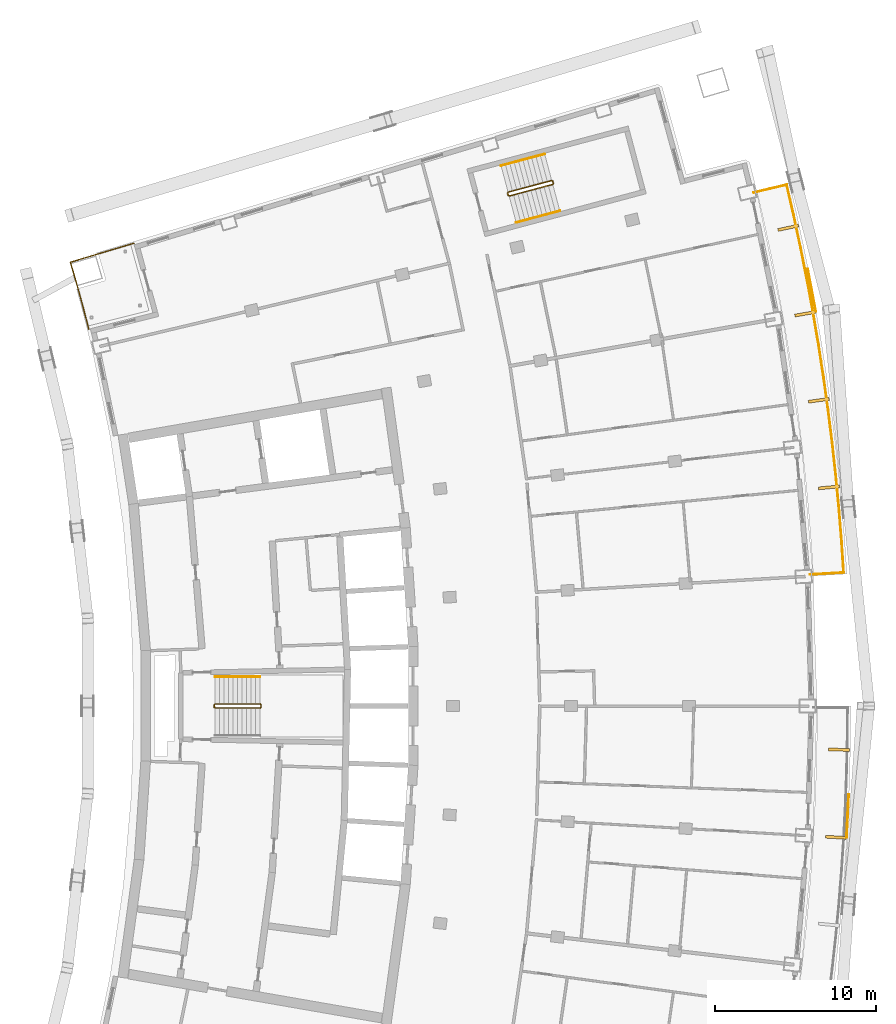
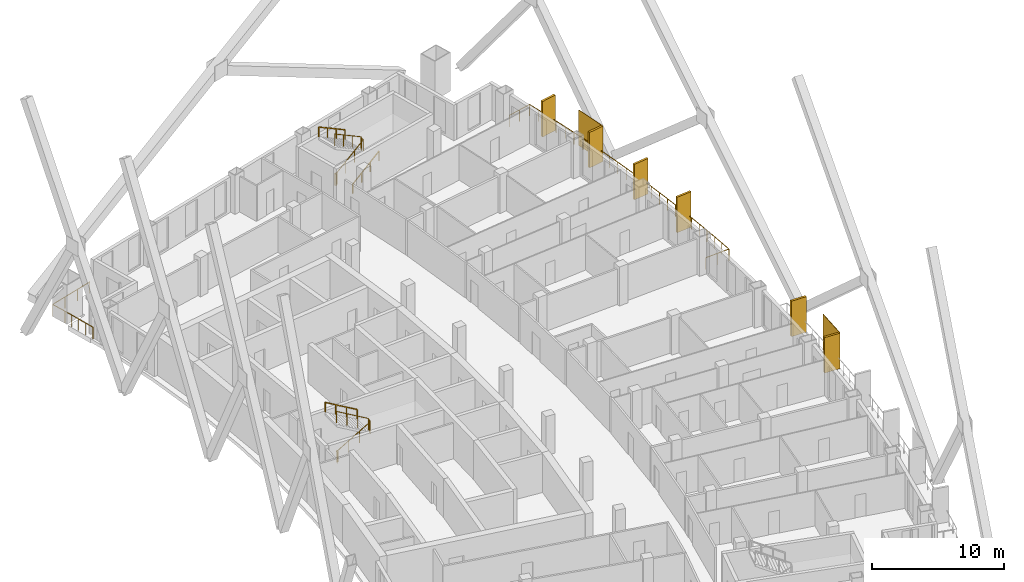
# One storey, part 20 of 20: 8 shading devices, 7 railings.
"""IFC4 building model written with IfcOpenShell, lengths in metres."""

from ifc_helpers import new_model, si_unit, direction, frame, origin, origin_2d, place, context, subcontext, project, spatial, rectangle, extrude, material, layer, layer_set, type_object, element, save


model = new_model("IFC4")

# Units and contexts
model_context = context("Model", 3, precision=1e-05, world=origin(), true_north=direction((0.0, 1.0)))
body_context = subcontext(model_context, "Body", "Model", "MODEL_VIEW")
ifc_project = project(units=[si_unit("LENGTHUNIT", "METRE"), si_unit("AREAUNIT", "SQUARE_METRE"), si_unit("VOLUMEUNIT", "CUBIC_METRE"), si_unit("PLANEANGLEUNIT", "RADIAN"), si_unit("MASSUNIT", "GRAM", prefix="KILO")], contexts=[model_context])

# Site, building, storey
site_placement = place(None, origin())
site = spatial("IfcSite", under=ifc_project, at=site_placement, CompositionType="ELEMENT")
building_placement = place(site_placement, origin())
building = spatial("IfcBuilding", under=site, at=building_placement, Name="Alderwake Tower", CompositionType="ELEMENT")
storey_placement = place(building_placement, frame((0.0, 0.0, 210.800048828125)))
storey = spatial("IfcBuildingStorey", under=building, at=storey_placement, Name="L52", CompositionType="ELEMENT", Elevation=210.800048828125)

# Railings
ifc_material_1 = material(Name="Stainless steel 316 rail and posts", Category="steel")
railing_type_1 = type_object("IfcRailingType", Name="Balcony guard 1100", PredefinedType="GUARDRAIL", material=ifc_material_1)
railing_1_placement = place(storey_placement, frame((57.959228515625, 69.155517578125, 0.0)))
element("IfcRailing", 1, at=railing_1_placement, inside=storey, type_object=railing_type_1, Name="Guard BF08", PredefinedType="GUARDRAIL", context=body_context, shape_type="SweptSolid", body=[
    extrude(rectangle(XDim=0.048095703125, YDim=0.048095703125, at=origin_2d()), frame((0.0, 0.0, 1.076171875), z_axis=(0.998261117553, 0.058946935313, 0.0), x_axis=(-0.058946935313, 0.998261117553, 0.0)), (0.0, 0.0, 1.0), 2.099853515625),
    extrude(rectangle(XDim=0.048095703125, YDim=0.048095703125, at=origin_2d()), frame((2.09619140625, 0.123779296875, 1.076171875), z_axis=(-0.065861216536, 0.997828793008, 0.0), x_axis=(-0.997828793008, -0.065861216536, 0.0)), (0.0, 0.0, 1.0), 1.946044921875),
    extrude(rectangle(XDim=0.048095703125, YDim=0.048095703125, at=origin_2d()), frame((1.968017578125, 2.065673828125, 1.076171875), z_axis=(-0.080191048977, 0.996779512061, 0.0), x_axis=(-0.996779512061, -0.080191048977, 0.0)), (0.0, 0.0, 1.0), 2.0458984375),
    extrude(rectangle(XDim=0.048095703125, YDim=0.048095703125, at=origin_2d()), frame((1.803955078125, 4.10498046875, 1.076171875), z_axis=(-0.094623268612, 0.995513152619, 0.0), x_axis=(-0.995513152619, -0.094623268612, 0.0)), (0.0, 0.0, 1.0), 2.046142578125),
    extrude(rectangle(XDim=0.048095703125, YDim=0.048095703125, at=origin_2d()), frame((1.6103515625, 6.141845703125, 1.076171875), z_axis=(-0.109174253205, 0.994022626723, 0.0), x_axis=(-0.994022626723, -0.109174253205, 0.0)), (0.0, 0.0, 1.0), 2.046142578125),
    extrude(rectangle(XDim=0.048095703125, YDim=0.048095703125, at=origin_2d()), frame((1.386962890625, 8.17578125, 1.076171875), z_axis=(-0.123623502309, 0.992329194208, 0.0), x_axis=(-0.992329194208, -0.123623502309, 0.0)), (0.0, 0.0, 1.0), 2.0458984375),
    extrude(rectangle(XDim=0.048095703125, YDim=0.048095703125, at=origin_2d()), frame((1.134033203125, 10.2060546875, 1.076171875), z_axis=(-0.138062649027, 0.990423497774, 0.0), x_axis=(-0.990423497774, -0.138062649027, 0.0)), (0.0, 0.0, 1.0), 2.0458984375),
    extrude(rectangle(XDim=0.048095703125, YDim=0.048095703125, at=origin_2d()), frame((0.8515625, 12.232421875, 1.076171875), z_axis=(-0.152487539839, 0.988305393183, 0.0), x_axis=(-0.988305393183, -0.152487539839, 0.0)), (0.0, 0.0, 1.0), 2.046142578125),
    extrude(rectangle(XDim=0.048095703125, YDim=0.048095703125, at=origin_2d()), frame((0.53955078125, 14.254638671875, 1.076171875), z_axis=(-0.167049252433, 0.985948552036, 0.0), x_axis=(-0.985948552036, -0.167049252433, 0.0)), (0.0, 0.0, 1.0), 2.046142578125),
    extrude(rectangle(XDim=0.048095703125, YDim=0.048095703125, at=origin_2d()), frame((0.19775390625, 16.27197265625, 1.076171875), z_axis=(-0.181268734219, 0.983433600196, 0.0), x_axis=(-0.983433600196, -0.181268734219, 0.0)), (0.0, 0.0, 1.0), 2.0458984375),
    extrude(rectangle(XDim=0.048095703125, YDim=0.048095703125, at=origin_2d()), frame((-0.173095703125, 18.283935546875, 1.076171875), z_axis=(-0.195565396752, 0.98069066254, 0.0), x_axis=(-0.98069066254, -0.195565396752, 0.0)), (0.0, 0.0, 1.0), 2.046142578125),
    extrude(rectangle(XDim=0.048095703125, YDim=0.048095703125, at=origin_2d()), frame((-0.5732421875, 20.29052734375, 1.076171875), z_axis=(-0.209912112269, 0.977720259135, 0.0), x_axis=(-0.977720259135, -0.209912112269, 0.0)), (0.0, 0.0, 1.0), 2.0458984375),
    extrude(rectangle(XDim=0.048095703125, YDim=0.048095703125, at=origin_2d()), frame((-1.002685546875, 22.290771484375, 1.076171875), z_axis=(-0.22380572243, 0.97463377666, 0.0), x_axis=(-0.97463377666, -0.22380572243, 0.0)), (0.0, 0.0, 1.0), 1.946044921875),
    extrude(rectangle(XDim=0.048095703125, YDim=0.048095703125, at=origin_2d()), frame((-1.438232421875, 24.1875, 1.076171875), z_axis=(-0.973057638874, -0.230561990427, 0.0), x_axis=(0.230561990427, -0.973057638874, 0.0)), (0.0, 0.0, 1.0), 2.099853515625),
    extrude(rectangle(XDim=0.0419921875, YDim=0.0419921875, at=origin_2d()), frame((0.0, 0.0, 0.0), z_axis=(0.0, 0.0, 1.0), x_axis=(0.998261117553, 0.058946935313, 0.0)), (0.0, 0.0, 1.0), 1.052001953125),
    extrude(rectangle(XDim=0.0419921875, YDim=0.0419921875, at=origin_2d()), frame((1.048095703125, 0.06201171875, 0.0), z_axis=(0.0, 0.0, 1.0), x_axis=(0.998261117553, 0.058946935313, 0.0)), (0.0, 0.0, 1.0), 1.052001953125),
    extrude(rectangle(XDim=0.0419921875, YDim=0.0419921875, at=origin_2d()), frame((2.09619140625, 0.123779296875, 0.0), z_axis=(0.0, 0.0, 1.0), x_axis=(-0.065861216536, 0.997828793008, 0.0)), (0.0, 0.0, 1.0), 1.052001953125),
    extrude(rectangle(XDim=0.0419921875, YDim=0.0419921875, at=origin_2d()), frame((2.0322265625, 1.0947265625, 0.0), z_axis=(0.0, 0.0, 1.0), x_axis=(-0.065861216536, 0.997828793008, 0.0)), (0.0, 0.0, 1.0), 1.052001953125),
    extrude(rectangle(XDim=0.0419921875, YDim=0.0419921875, at=origin_2d()), frame((1.968017578125, 2.065673828125, 0.0), z_axis=(0.0, 0.0, 1.0), x_axis=(-0.080191048977, 0.996779512061, 0.0)), (0.0, 0.0, 1.0), 1.052001953125),
    extrude(rectangle(XDim=0.0419921875, YDim=0.0419921875, at=origin_2d()), frame((1.885986328125, 3.08544921875, 0.0), z_axis=(0.0, 0.0, 1.0), x_axis=(-0.080191048977, 0.996779512061, 0.0)), (0.0, 0.0, 1.0), 1.052001953125),
    extrude(rectangle(XDim=0.0419921875, YDim=0.0419921875, at=origin_2d()), frame((1.803955078125, 4.10498046875, 0.0), z_axis=(0.0, 0.0, 1.0), x_axis=(-0.094623268612, 0.995513152619, 0.0)), (0.0, 0.0, 1.0), 1.052001953125),
    extrude(rectangle(XDim=0.0419921875, YDim=0.0419921875, at=origin_2d()), frame((1.70703125, 5.12353515625, 0.0), z_axis=(0.0, 0.0, 1.0), x_axis=(-0.094623268612, 0.995513152619, 0.0)), (0.0, 0.0, 1.0), 1.052001953125),
    extrude(rectangle(XDim=0.0419921875, YDim=0.0419921875, at=origin_2d()), frame((1.6103515625, 6.141845703125, 0.0), z_axis=(0.0, 0.0, 1.0), x_axis=(-0.109174253205, 0.994022626723, 0.0)), (0.0, 0.0, 1.0), 1.052001953125),
    extrude(rectangle(XDim=0.0419921875, YDim=0.0419921875, at=origin_2d()), frame((1.49853515625, 7.15869140625, 0.0), z_axis=(0.0, 0.0, 1.0), x_axis=(-0.109174253205, 0.994022626723, 0.0)), (0.0, 0.0, 1.0), 1.052001953125),
    extrude(rectangle(XDim=0.0419921875, YDim=0.0419921875, at=origin_2d()), frame((1.386962890625, 8.17578125, 0.0), z_axis=(0.0, 0.0, 1.0), x_axis=(-0.123623502309, 0.992329194208, 0.0)), (0.0, 0.0, 1.0), 1.052001953125),
    extrude(rectangle(XDim=0.0419921875, YDim=0.0419921875, at=origin_2d()), frame((1.260498046875, 9.19091796875, 0.0), z_axis=(0.0, 0.0, 1.0), x_axis=(-0.123623502309, 0.992329194208, 0.0)), (0.0, 0.0, 1.0), 1.052001953125),
    extrude(rectangle(XDim=0.0419921875, YDim=0.0419921875, at=origin_2d()), frame((1.134033203125, 10.2060546875, 0.0), z_axis=(0.0, 0.0, 1.0), x_axis=(-0.138062649027, 0.990423497774, 0.0)), (0.0, 0.0, 1.0), 1.052001953125),
    extrude(rectangle(XDim=0.0419921875, YDim=0.0419921875, at=origin_2d()), frame((0.99267578125, 11.21923828125, 0.0), z_axis=(0.0, 0.0, 1.0), x_axis=(-0.138062649027, 0.990423497774, 0.0)), (0.0, 0.0, 1.0), 1.052001953125),
    extrude(rectangle(XDim=0.0419921875, YDim=0.0419921875, at=origin_2d()), frame((0.8515625, 12.232421875, 0.0), z_axis=(0.0, 0.0, 1.0), x_axis=(-0.152487539839, 0.988305393183, 0.0)), (0.0, 0.0, 1.0), 1.052001953125),
    extrude(rectangle(XDim=0.0419921875, YDim=0.0419921875, at=origin_2d()), frame((0.695556640625, 13.24365234375, 0.0), z_axis=(0.0, 0.0, 1.0), x_axis=(-0.152487539839, 0.988305393183, 0.0)), (0.0, 0.0, 1.0), 1.052001953125),
    extrude(rectangle(XDim=0.0419921875, YDim=0.0419921875, at=origin_2d()), frame((0.53955078125, 14.254638671875, 0.0), z_axis=(0.0, 0.0, 1.0), x_axis=(-0.167049252433, 0.985948552036, 0.0)), (0.0, 0.0, 1.0), 1.052001953125),
    extrude(rectangle(XDim=0.0419921875, YDim=0.0419921875, at=origin_2d()), frame((0.36865234375, 15.26318359375, 0.0), z_axis=(0.0, 0.0, 1.0), x_axis=(-0.167049252433, 0.985948552036, 0.0)), (0.0, 0.0, 1.0), 1.052001953125),
    extrude(rectangle(XDim=0.0419921875, YDim=0.0419921875, at=origin_2d()), frame((0.19775390625, 16.27197265625, 0.0), z_axis=(0.0, 0.0, 1.0), x_axis=(-0.181268734219, 0.983433600196, 0.0)), (0.0, 0.0, 1.0), 1.052001953125),
    extrude(rectangle(XDim=0.0419921875, YDim=0.0419921875, at=origin_2d()), frame((0.01220703125, 17.27783203125, 0.0), z_axis=(0.0, 0.0, 1.0), x_axis=(-0.181268734219, 0.983433600196, 0.0)), (0.0, 0.0, 1.0), 1.052001953125),
    extrude(rectangle(XDim=0.0419921875, YDim=0.0419921875, at=origin_2d()), frame((-0.173095703125, 18.283935546875, 0.0), z_axis=(0.0, 0.0, 1.0), x_axis=(-0.195565396752, 0.98069066254, 0.0)), (0.0, 0.0, 1.0), 1.052001953125),
    extrude(rectangle(XDim=0.0419921875, YDim=0.0419921875, at=origin_2d()), frame((-0.373046875, 19.287109375, 0.0), z_axis=(0.0, 0.0, 1.0), x_axis=(-0.195565396752, 0.98069066254, 0.0)), (0.0, 0.0, 1.0), 1.052001953125),
    extrude(rectangle(XDim=0.0419921875, YDim=0.0419921875, at=origin_2d()), frame((-0.5732421875, 20.29052734375, 0.0), z_axis=(0.0, 0.0, 1.0), x_axis=(-0.209912112269, 0.977720259135, 0.0)), (0.0, 0.0, 1.0), 1.052001953125),
    extrude(rectangle(XDim=0.0419921875, YDim=0.0419921875, at=origin_2d()), frame((-0.7880859375, 21.29052734375, 0.0), z_axis=(0.0, 0.0, 1.0), x_axis=(-0.209912112269, 0.977720259135, 0.0)), (0.0, 0.0, 1.0), 1.052001953125),
    extrude(rectangle(XDim=0.0419921875, YDim=0.0419921875, at=origin_2d()), frame((-1.002685546875, 22.290771484375, 0.0), z_axis=(0.0, 0.0, 1.0), x_axis=(-0.22380572243, 0.97463377666, 0.0)), (0.0, 0.0, 1.0), 1.052001953125),
    extrude(rectangle(XDim=0.0419921875, YDim=0.0419921875, at=origin_2d()), frame((-1.220458984375, 23.2392578125, 0.0), z_axis=(0.0, 0.0, 1.0), x_axis=(-0.22380572243, 0.97463377666, 0.0)), (0.0, 0.0, 1.0), 1.052001953125),
    extrude(rectangle(XDim=0.0419921875, YDim=0.0419921875, at=origin_2d()), frame((-1.438232421875, 24.1875, 0.0), z_axis=(0.0, 0.0, 1.0), x_axis=(-0.973057638874, -0.230561990427, 0.0)), (0.0, 0.0, 1.0), 1.052001953125),
    extrude(rectangle(XDim=0.0419921875, YDim=0.0419921875, at=origin_2d()), frame((-2.4599609375, 23.9453125, 0.0), z_axis=(0.0, 0.0, 1.0), x_axis=(-0.973057638874, -0.230561990427, 0.0)), (0.0, 0.0, 1.0), 1.052001953125),
    extrude(rectangle(XDim=0.0419921875, YDim=0.0419921875, at=origin_2d()), frame((-3.4814453125, 23.703369140625, 0.0), z_axis=(0.0, 0.0, 1.0), x_axis=(-0.973057638874, -0.230561990427, 0.0)), (0.0, 0.0, 1.0), 1.052001953125),
])
railing_2_placement = place(storey_placement, frame((13.210693359375, 84.387451171875, 0.0)))
element("IfcRailing", 2, at=railing_2_placement, inside=storey, type_object=railing_type_1, Name="Guard terrace RN", PredefinedType="GUARDRAIL", context=body_context, shape_type="SweptSolid", body=[
    extrude(rectangle(XDim=0.048095703125, YDim=0.048095703125, at=origin_2d()), frame((0.0, 0.0, 1.076171875), z_axis=(-0.251385381433, 0.967887075026, 0.0), x_axis=(-0.967887075026, -0.251385381433, 0.0)), (0.0, 0.0, 1.0), 1.6015625),
    extrude(rectangle(XDim=0.048095703125, YDim=0.048095703125, at=origin_2d()), frame((-0.402587890625, 1.550048828125, 1.076171875), z_axis=(-0.266520638672, 0.963829211615, 0.0), x_axis=(-0.963829211615, -0.266520638672, 0.0)), (0.0, 0.0, 1.0), 1.401611328125),
    extrude(rectangle(XDim=0.048095703125, YDim=0.048095703125, at=origin_2d()), frame((-0.776123046875, 2.90087890625, 1.076171875), z_axis=(-0.280093650878, 0.959972680204, 0.0), x_axis=(-0.959972680204, -0.280093650878, 0.0)), (0.0, 0.0, 1.0), 1.30126953125),
    extrude(rectangle(XDim=0.048095703125, YDim=0.048095703125, at=origin_2d()), frame((-1.140625, 4.150146484375, 1.076171875), z_axis=(0.958066871889, 0.286544706789, 0.0), x_axis=(-0.286544706789, 0.958066871889, 0.0)), (0.0, 0.0, 1.0), 4.099853515625),
    extrude(rectangle(XDim=0.0419921875, YDim=0.0419921875, at=origin_2d()), frame((0.0, 0.0, 0.0), z_axis=(0.0, 0.0, 1.0), x_axis=(-0.251385381433, 0.967887075026, 0.0)), (0.0, 0.0, 1.0), 1.052001953125),
    extrude(rectangle(XDim=0.0419921875, YDim=0.0419921875, at=origin_2d()), frame((-0.201171875, 0.77490234375, 0.0), z_axis=(0.0, 0.0, 1.0), x_axis=(-0.251385381433, 0.967887075026, 0.0)), (0.0, 0.0, 1.0), 1.052001953125),
    extrude(rectangle(XDim=0.0419921875, YDim=0.0419921875, at=origin_2d()), frame((-0.402587890625, 1.550048828125, 0.0), z_axis=(0.0, 0.0, 1.0), x_axis=(-0.266520638672, 0.963829211615, 0.0)), (0.0, 0.0, 1.0), 1.052001953125),
    extrude(rectangle(XDim=0.0419921875, YDim=0.0419921875, at=origin_2d()), frame((-0.58935546875, 2.2255859375, 0.0), z_axis=(0.0, 0.0, 1.0), x_axis=(-0.266520638672, 0.963829211615, 0.0)), (0.0, 0.0, 1.0), 1.052001953125),
    extrude(rectangle(XDim=0.0419921875, YDim=0.0419921875, at=origin_2d()), frame((-0.776123046875, 2.90087890625, 0.0), z_axis=(0.0, 0.0, 1.0), x_axis=(-0.280093650878, 0.959972680204, 0.0)), (0.0, 0.0, 1.0), 1.052001953125),
    extrude(rectangle(XDim=0.0419921875, YDim=0.0419921875, at=origin_2d()), frame((-1.140625, 4.150146484375, 0.0), z_axis=(0.0, 0.0, 1.0), x_axis=(0.958066871889, 0.286544706789, 0.0)), (0.0, 0.0, 1.0), 1.052001953125),
    extrude(rectangle(XDim=0.0419921875, YDim=0.0419921875, at=origin_2d()), frame((0.168701171875, 4.541748046875, 0.0), z_axis=(0.0, 0.0, 1.0), x_axis=(0.958066871889, 0.286544706789, 0.0)), (0.0, 0.0, 1.0), 1.052001953125),
    extrude(rectangle(XDim=0.0419921875, YDim=0.0419921875, at=origin_2d()), frame((1.47802734375, 4.933349609375, 0.0), z_axis=(0.0, 0.0, 1.0), x_axis=(0.958066871889, 0.286544706789, 0.0)), (0.0, 0.0, 1.0), 1.052001953125),
    extrude(rectangle(XDim=0.0419921875, YDim=0.0419921875, at=origin_2d()), frame((2.787353515625, 5.324951171875, 0.0), z_axis=(0.0, 0.0, 1.0), x_axis=(0.958066871889, 0.286544706789, 0.0)), (0.0, 0.0, 1.0), 1.052001953125),
])

# Shading devices
ifc_material_2 = material(Name="Bronze anodised aluminium", Category="aluminium")
ifc_layer_1 = layer(ifc_material_2, 0.179931640625)
ifc_layer_set_1 = layer_set([ifc_layer_1], Name="Facade fin 1300")
shading_device_type_1 = type_object("IfcShadingDeviceType", Name="Facade fin 1300", PredefinedType="USERDEFINED", material=ifc_layer_set_1)
for number, where, z_axis, x_axis, name in (
    (3, (59.5625, 52.854248046875, 0.0), (0.0, 0.0, 1.0), (0.998301080988, -0.058266214038, 0.0), "Fin"),
    (4, (59.773681640625, 58.2880859375, 0.0), (0.0, 0.0, 1.0), (0.999811838809, -0.019398117887, 0.0), "Fin"),
    (5, (59.14013671875, 74.567138671875, 0.0), (0.0, 0.0, 1.0), (0.995279882363, 0.097046152751, 0.0), "Fin"),
    (6, (58.507080078125, 79.968017578125, 0.0), (0.0, 0.0, 1.0), (0.990752577235, 0.135680988728, 0.0), "Fin"),
    (7, (57.664794921875, 85.34033203125, 0.0), (0.0, 0.0, 1.0), (0.984726421654, 0.174108800747, 0.0), "Fin"),
    (8, (56.614013671875, 90.67578125, 0.0), (0.0, 0.0, 1.0), (0.977210363881, 0.212273184185, 0.0), "Fin"),
):
    element("IfcShadingDevice", number, at=place(storey_placement, frame(where, z_axis=z_axis, x_axis=x_axis)), inside=storey, type_object=shading_device_type_1, Name=name, ObjectType="FIN", PredefinedType="USERDEFINED", context=body_context, shape_type="SweptSolid", body=[
        extrude(rectangle(XDim=1.300048828125, YDim=0.179931640625, at=origin_2d()), origin(), (0.0, 0.0, 1.0), 3.280029296875),
    ])
ifc_material_3 = material(Name="Perforated bronze anodised aluminium", Category="aluminium")
ifc_layer_2 = layer(ifc_material_3, 0.050048828125)
ifc_layer_set_2 = layer_set([ifc_layer_2], Name="Perforated screen panel")
shading_device_type_2 = type_object("IfcShadingDeviceType", Name="Perforated screen panel", PredefinedType="USERDEFINED", material=ifc_layer_set_2)
for number, where, z_axis, x_axis, name in (
    (9, (60.302490234375, 54.17578125, 0.0), (0.0, 0.0, 1.0), (0.998819231138, -0.048581308217, 0.0), "Screen panel"),
    (10, (58.0791015625, 86.79736328125, 0.0), (0.0, 0.0, 1.0), (0.982991488043, 0.183651121519, 0.0), "Screen panel"),
):
    element("IfcShadingDevice", number, at=place(storey_placement, frame(where, z_axis=z_axis, x_axis=x_axis)), inside=storey, type_object=shading_device_type_2, Name=name, ObjectType="SCREEN", PredefinedType="USERDEFINED", context=body_context, shape_type="SweptSolid", body=[
        extrude(rectangle(XDim=0.050048828125, YDim=2.72509765625, at=origin_2d()), origin(), (0.0, 0.0, 1.0), 3.280029296875),
    ])

# Railings
ifc_material_4 = material(Name="Stainless steel guard", Category="steel")
railing_type_2 = type_object("IfcRailingType", Name="Stair guard 1100", PredefinedType="GUARDRAIL", material=ifc_material_4)
railing_3_placement = place(storey_placement, frame((20.989990234375, 60.925048828125, 0.0)))
element("IfcRailing", 11, at=railing_3_placement, inside=storey, type_object=railing_type_2, Name="L52 ST-B stair guard 1", PredefinedType="GUARDRAIL", context=body_context, shape_type="SweptSolid", body=[
    extrude(rectangle(XDim=0.048095703125, YDim=0.048095703125, at=origin_2d()), frame((0.0, 0.0, 1.076171875), z_axis=(0.0, 1.0, 0.0), x_axis=(-1.0, 0.0, 0.0)), (0.0, 0.0, 1.0), 0.14990234375),
    extrude(rectangle(XDim=0.048095703125, YDim=0.048095703125, at=origin_2d()), frame((0.0, 0.14990234375, 1.076171875), z_axis=(0.190199549216, -0.759870394187, 0.621627795), x_axis=(0.970072785993, 0.242814311512, 0.0)), (0.0, 0.0, 1.0), 0.26318359375),
    extrude(rectangle(XDim=0.048095703125, YDim=0.048095703125, at=origin_2d()), frame((0.050048828125, -0.050048828125, 1.23974609375), z_axis=(0.863360870873, 0.0, 0.504586966384), x_axis=(0.0, 1.0, 0.0)), (0.0, 0.0, 1.0), 3.2431640625),
    extrude(rectangle(XDim=0.048095703125, YDim=0.048095703125, at=origin_2d()), frame((2.85009765625, -0.050048828125, 2.8759765625), z_axis=(0.705375805398, 0.708833529934, 0.0), x_axis=(-0.708833529934, 0.705375805398, 0.0)), (0.0, 0.0, 1.0), 0.070556640625),
    extrude(rectangle(XDim=0.048095703125, YDim=0.048095703125, at=origin_2d()), frame((2.89990234375, 0.0, 2.8759765625), z_axis=(0.0, 1.0, 0.0), x_axis=(-1.0, 0.0, 0.0)), (0.0, 0.0, 1.0), 0.14990234375),
    extrude(rectangle(XDim=0.048095703125, YDim=0.048095703125, at=origin_2d()), frame((2.89990234375, 0.14990234375, 2.8759765625), z_axis=(-0.279546231943, 0.280916556609, 0.91811752648), x_axis=(-0.708833529934, -0.705375805398, 0.0)), (0.0, 0.0, 1.0), 0.17822265625),
    extrude(rectangle(XDim=0.048095703125, YDim=0.048095703125, at=origin_2d()), frame((2.85009765625, 0.199951171875, 3.03955078125), z_axis=(-0.863393664356, 0.0, 0.504530851732), x_axis=(0.0, -1.0, 0.0)), (0.0, 0.0, 1.0), 3.2431640625),
    extrude(rectangle(XDim=0.0419921875, YDim=0.0419921875, at=origin_2d()), frame((0.0, 0.0, 0.0), z_axis=(0.0, 0.0, 1.0), x_axis=(0.0, 1.0, 0.0)), (0.0, 0.0, 1.0), 1.052001953125),
    extrude(rectangle(XDim=0.0419921875, YDim=0.0419921875, at=origin_2d()), frame((0.0, 0.14990234375, 0.0), z_axis=(0.0, 0.0, 1.0), x_axis=(0.242814311512, -0.970072785993, 0.0)), (0.0, 0.0, 1.0), 1.052001953125),
    extrude(rectangle(XDim=0.0419921875, YDim=0.0419921875, at=origin_2d()), frame((0.050048828125, -0.050048828125, 0.16357421875), z_axis=(0.0, 0.0, 1.0), x_axis=(1.0, 0.0, 0.0)), (0.0, 0.0, 1.0), 1.052001953125),
    extrude(rectangle(XDim=0.0419921875, YDim=0.0419921875, at=origin_2d()), frame((0.9833984375, -0.050048828125, 0.708984375), z_axis=(0.0, 0.0, 1.0), x_axis=(1.0, 0.0, 0.0)), (0.0, 0.0, 1.0), 1.052001953125),
    extrude(rectangle(XDim=0.0419921875, YDim=0.0419921875, at=origin_2d()), frame((1.916748046875, -0.050048828125, 1.254638671875), z_axis=(0.0, 0.0, 1.0), x_axis=(1.0, 0.0, 0.0)), (0.0, 0.0, 1.0), 1.052001953125),
    extrude(rectangle(XDim=0.0419921875, YDim=0.0419921875, at=origin_2d()), frame((2.85009765625, -0.050048828125, 1.800048828125), z_axis=(0.0, 0.0, 1.0), x_axis=(0.705375805398, 0.708833529934, 0.0)), (0.0, 0.0, 1.0), 1.052001953125),
    extrude(rectangle(XDim=0.0419921875, YDim=0.0419921875, at=origin_2d()), frame((2.89990234375, 0.0, 1.800048828125), z_axis=(0.0, 0.0, 1.0), x_axis=(0.0, 1.0, 0.0)), (0.0, 0.0, 1.0), 1.052001953125),
    extrude(rectangle(XDim=0.0419921875, YDim=0.0419921875, at=origin_2d()), frame((2.89990234375, 0.14990234375, 1.800048828125), z_axis=(0.0, 0.0, 1.0), x_axis=(-0.705375805398, 0.708833529934, 0.0)), (0.0, 0.0, 1.0), 1.052001953125),
    extrude(rectangle(XDim=0.0419921875, YDim=0.0419921875, at=origin_2d()), frame((2.85009765625, 0.199951171875, 1.963623046875), z_axis=(0.0, 0.0, 1.0), x_axis=(-1.0, 0.0, 0.0)), (0.0, 0.0, 1.0), 1.052001953125),
    extrude(rectangle(XDim=0.0419921875, YDim=0.0419921875, at=origin_2d()), frame((1.916748046875, 0.199951171875, 2.509033203125), z_axis=(0.0, 0.0, 1.0), x_axis=(-1.0, 0.0, 0.0)), (0.0, 0.0, 1.0), 1.052001953125),
    extrude(rectangle(XDim=0.0419921875, YDim=0.0419921875, at=origin_2d()), frame((0.9833984375, 0.199951171875, 3.054443359375), z_axis=(0.0, 0.0, 1.0), x_axis=(-1.0, 0.0, 0.0)), (0.0, 0.0, 1.0), 1.052001953125),
    extrude(rectangle(XDim=0.0419921875, YDim=0.0419921875, at=origin_2d()), frame((0.050048828125, 0.199951171875, 3.599853515625), z_axis=(0.0, 0.0, 1.0), x_axis=(-1.0, 0.0, 0.0)), (0.0, 0.0, 1.0), 1.052001953125),
])
railing_4_placement = place(storey_placement, frame((39.23291015625, 92.6806640625, 0.0)))
element("IfcRailing", 12, at=railing_4_placement, inside=storey, type_object=railing_type_2, Name="L52 ST-A stair guard 1", PredefinedType="GUARDRAIL", context=body_context, shape_type="SweptSolid", body=[
    extrude(rectangle(XDim=0.048095703125, YDim=0.048095703125, at=origin_2d()), frame((0.0, 0.0, 1.076171875), z_axis=(-0.257055032184, 0.966396766566, 0.0), x_axis=(-0.966396766566, -0.257055032184, 0.0)), (0.0, 0.0, 1.0), 0.150146484375),
    extrude(rectangle(XDim=0.048095703125, YDim=0.048095703125, at=origin_2d()), frame((-0.03857421875, 0.14501953125, 1.076171875), z_axis=(0.379370725808, -0.685464465458, 0.621463047167), x_axis=(0.874937996095, 0.484234966715, 0.0)), (0.0, 0.0, 1.0), 0.26318359375),
    extrude(rectangle(XDim=0.048095703125, YDim=0.048095703125, at=origin_2d()), frame((0.061279296875, -0.035400390625, 1.23974609375), z_axis=(0.834258940753, 0.22222815314, 0.504605457487), x_axis=(-0.257402139082, 0.966304371715, 0.0)), (0.0, 0.0, 1.0), 3.2431640625),
    extrude(rectangle(XDim=0.048095703125, YDim=0.048095703125, at=origin_2d()), frame((2.766845703125, 0.685302734375, 2.8759765625), z_axis=(0.500220121494, 0.865898279276, 0.0), x_axis=(-0.865898279276, 0.500220121494, 0.0)), (0.0, 0.0, 1.0), 0.07080078125),
    extrude(rectangle(XDim=0.048095703125, YDim=0.048095703125, at=origin_2d()), frame((2.80224609375, 0.74658203125, 2.8759765625), z_axis=(-0.257459803502, 0.966289009345, 0.0), x_axis=(-0.966289009345, -0.257459803502, 0.0)), (0.0, 0.0, 1.0), 0.14990234375),
    extrude(rectangle(XDim=0.048095703125, YDim=0.048095703125, at=origin_2d()), frame((2.763671875, 0.891357421875, 2.8759765625), z_axis=(-0.34252489212, 0.200034536998, 0.917966710881), x_axis=(-0.504300490226, -0.863528236688, 0.0)), (0.0, 0.0, 1.0), 0.17822265625),
    extrude(rectangle(XDim=0.048095703125, YDim=0.048095703125, at=origin_2d()), frame((2.70263671875, 0.927001953125, 3.03955078125), z_axis=(-0.834313512087, -0.222222637163, 0.504517653885), x_axis=(0.257380452725, -0.966310148221, 0.0)), (0.0, 0.0, 1.0), 3.2431640625),
    extrude(rectangle(XDim=0.0419921875, YDim=0.0419921875, at=origin_2d()), frame((0.0, 0.0, 0.0), z_axis=(0.0, 0.0, 1.0), x_axis=(-0.257055032184, 0.966396766566, 0.0)), (0.0, 0.0, 1.0), 1.052001953125),
    extrude(rectangle(XDim=0.0419921875, YDim=0.0419921875, at=origin_2d()), frame((-0.03857421875, 0.14501953125, 0.0), z_axis=(0.0, 0.0, 1.0), x_axis=(0.484234966715, -0.874937996095, 0.0)), (0.0, 0.0, 1.0), 1.052001953125),
    extrude(rectangle(XDim=0.0419921875, YDim=0.0419921875, at=origin_2d()), frame((0.061279296875, -0.035400390625, 0.16357421875), z_axis=(0.0, 0.0, 1.0), x_axis=(0.966304371715, 0.257402139082, 0.0)), (0.0, 0.0, 1.0), 1.052001953125),
    extrude(rectangle(XDim=0.0419921875, YDim=0.0419921875, at=origin_2d()), frame((0.963134765625, 0.204833984375, 0.708984375), z_axis=(0.0, 0.0, 1.0), x_axis=(0.966304371715, 0.257402139082, 0.0)), (0.0, 0.0, 1.0), 1.052001953125),
    extrude(rectangle(XDim=0.0419921875, YDim=0.0419921875, at=origin_2d()), frame((1.864990234375, 0.445068359375, 1.254638671875), z_axis=(0.0, 0.0, 1.0), x_axis=(0.966304371715, 0.257402139082, 0.0)), (0.0, 0.0, 1.0), 1.052001953125),
    extrude(rectangle(XDim=0.0419921875, YDim=0.0419921875, at=origin_2d()), frame((2.766845703125, 0.685302734375, 1.800048828125), z_axis=(0.0, 0.0, 1.0), x_axis=(0.500220121494, 0.865898279276, 0.0)), (0.0, 0.0, 1.0), 1.052001953125),
    extrude(rectangle(XDim=0.0419921875, YDim=0.0419921875, at=origin_2d()), frame((2.80224609375, 0.74658203125, 1.800048828125), z_axis=(0.0, 0.0, 1.0), x_axis=(-0.257459803502, 0.966289009345, 0.0)), (0.0, 0.0, 1.0), 1.052001953125),
    extrude(rectangle(XDim=0.0419921875, YDim=0.0419921875, at=origin_2d()), frame((2.763671875, 0.891357421875, 1.800048828125), z_axis=(0.0, 0.0, 1.0), x_axis=(-0.863528236688, 0.504300490226, 0.0)), (0.0, 0.0, 1.0), 1.052001953125),
    extrude(rectangle(XDim=0.0419921875, YDim=0.0419921875, at=origin_2d()), frame((2.70263671875, 0.927001953125, 1.963623046875), z_axis=(0.0, 0.0, 1.0), x_axis=(-0.966310148221, -0.257380452725, 0.0)), (0.0, 0.0, 1.0), 1.052001953125),
    extrude(rectangle(XDim=0.0419921875, YDim=0.0419921875, at=origin_2d()), frame((1.80078125, 0.686767578125, 2.509033203125), z_axis=(0.0, 0.0, 1.0), x_axis=(-0.966310148221, -0.257380452725, 0.0)), (0.0, 0.0, 1.0), 1.052001953125),
    extrude(rectangle(XDim=0.0419921875, YDim=0.0419921875, at=origin_2d()), frame((0.898681640625, 0.446533203125, 3.054443359375), z_axis=(0.0, 0.0, 1.0), x_axis=(-0.966310148221, -0.257380452725, 0.0)), (0.0, 0.0, 1.0), 1.052001953125),
    extrude(rectangle(XDim=0.0419921875, YDim=0.0419921875, at=origin_2d()), frame((-0.003173828125, 0.206298828125, 3.599853515625), z_axis=(0.0, 0.0, 1.0), x_axis=(-0.966310148221, -0.257380452725, 0.0)), (0.0, 0.0, 1.0), 1.052001953125),
])
ifc_material_5 = material(Name="Stainless steel handrail", Category="steel")
railing_type_3 = type_object("IfcRailingType", Name="Stair handrail 900", PredefinedType="HANDRAIL", material=ifc_material_5)
railing_5_placement = place(storey_placement, frame((23.840087890625, 62.824951171875, 1.963623046875)))
element("IfcRailing", 13, at=railing_5_placement, inside=storey, type_object=railing_type_3, Name="L52 ST-B stair handrail 2", PredefinedType="HANDRAIL", context=body_context, shape_type="SweptSolid", body=[
    extrude(rectangle(XDim=0.048095703125, YDim=0.048095703125, at=origin_2d()), frame((0.0, 0.0, 0.8759765625), z_axis=(-0.863393664356, 0.0, 0.504530851732), x_axis=(0.0, -1.0, 0.0)), (0.0, 0.0, 1.0), 3.2431640625),
    extrude(rectangle(XDim=0.0419921875, YDim=0.0419921875, at=origin_2d()), frame((0.0, 0.0, 0.0), z_axis=(0.0, 0.0, 1.0), x_axis=(-1.0, 0.0, 0.0)), (0.0, 0.0, 1.0), 0.851806640625),
    extrude(rectangle(XDim=0.0419921875, YDim=0.0419921875, at=origin_2d()), frame((-0.933349609375, 0.0, 0.54541015625), z_axis=(0.0, 0.0, 1.0), x_axis=(-1.0, 0.0, 0.0)), (0.0, 0.0, 1.0), 0.851806640625),
    extrude(rectangle(XDim=0.0419921875, YDim=0.0419921875, at=origin_2d()), frame((-1.86669921875, 0.0, 1.0908203125), z_axis=(0.0, 0.0, 1.0), x_axis=(-1.0, 0.0, 0.0)), (0.0, 0.0, 1.0), 0.851806640625),
    extrude(rectangle(XDim=0.0419921875, YDim=0.0419921875, at=origin_2d()), frame((-2.800048828125, 0.0, 1.63623046875), z_axis=(0.0, 0.0, 1.0), x_axis=(-1.0, 0.0, 0.0)), (0.0, 0.0, 1.0), 0.851806640625),
])
railing_6_placement = place(storey_placement, frame((39.731689453125, 91.002685546875, 0.16357421875)))
element("IfcRailing", 14, at=railing_6_placement, inside=storey, type_object=railing_type_3, Name="L52 ST-A stair handrail 1", PredefinedType="HANDRAIL", context=body_context, shape_type="SweptSolid", body=[
    extrude(rectangle(XDim=0.048095703125, YDim=0.048095703125, at=origin_2d()), frame((0.0, 0.0, 0.8759765625), z_axis=(0.834258940753, 0.22222815314, 0.504605457487), x_axis=(-0.257402139082, 0.966304371715, 0.0)), (0.0, 0.0, 1.0), 3.2431640625),
    extrude(rectangle(XDim=0.0419921875, YDim=0.0419921875, at=origin_2d()), frame((0.0, 0.0, 0.0), z_axis=(0.0, 0.0, 1.0), x_axis=(0.966304371715, 0.257402139082, 0.0)), (0.0, 0.0, 1.0), 0.851806640625),
    extrude(rectangle(XDim=0.0419921875, YDim=0.0419921875, at=origin_2d()), frame((0.90185546875, 0.240234375, 0.54541015625), z_axis=(0.0, 0.0, 1.0), x_axis=(0.966304371715, 0.257402139082, 0.0)), (0.0, 0.0, 1.0), 0.851806640625),
    extrude(rectangle(XDim=0.0419921875, YDim=0.0419921875, at=origin_2d()), frame((1.8037109375, 0.48046875, 1.091064453125), z_axis=(0.0, 0.0, 1.0), x_axis=(0.966304371715, 0.257402139082, 0.0)), (0.0, 0.0, 1.0), 0.851806640625),
    extrude(rectangle(XDim=0.0419921875, YDim=0.0419921875, at=origin_2d()), frame((2.70556640625, 0.720703125, 1.636474609375), z_axis=(0.0, 0.0, 1.0), x_axis=(0.966304371715, 0.257402139082, 0.0)), (0.0, 0.0, 1.0), 0.851806640625),
])
railing_7_placement = place(storey_placement, frame((41.497802734375, 95.250244140625, 1.963623046875)))
element("IfcRailing", 15, at=railing_7_placement, inside=storey, type_object=railing_type_3, Name="L52 ST-A stair handrail 2", PredefinedType="HANDRAIL", context=body_context, shape_type="SweptSolid", body=[
    extrude(rectangle(XDim=0.048095703125, YDim=0.048095703125, at=origin_2d()), frame((0.0, 0.0, 0.8759765625), z_axis=(-0.834290631165, -0.222236594766, 0.504549342183), x_axis=(0.257402139082, -0.966304371715, 0.0)), (0.0, 0.0, 1.0), 3.242919921875),
    extrude(rectangle(XDim=0.0419921875, YDim=0.0419921875, at=origin_2d()), frame((0.0, 0.0, 0.0), z_axis=(0.0, 0.0, 1.0), x_axis=(-0.966304371715, -0.257402139082, 0.0)), (0.0, 0.0, 1.0), 0.851806640625),
    extrude(rectangle(XDim=0.0419921875, YDim=0.0419921875, at=origin_2d()), frame((-0.90185546875, -0.240234375, 0.54541015625), z_axis=(0.0, 0.0, 1.0), x_axis=(-0.966304371715, -0.257402139082, 0.0)), (0.0, 0.0, 1.0), 0.851806640625),
    extrude(rectangle(XDim=0.0419921875, YDim=0.0419921875, at=origin_2d()), frame((-1.8037109375, -0.48046875, 1.0908203125), z_axis=(0.0, 0.0, 1.0), x_axis=(-0.966304371715, -0.257402139082, 0.0)), (0.0, 0.0, 1.0), 0.851806640625),
    extrude(rectangle(XDim=0.0419921875, YDim=0.0419921875, at=origin_2d()), frame((-2.70556640625, -0.720703125, 1.63623046875), z_axis=(0.0, 0.0, 1.0), x_axis=(-0.966304371715, -0.257402139082, 0.0)), (0.0, 0.0, 1.0), 0.851806640625),
])

save(model, "model.ifc")
